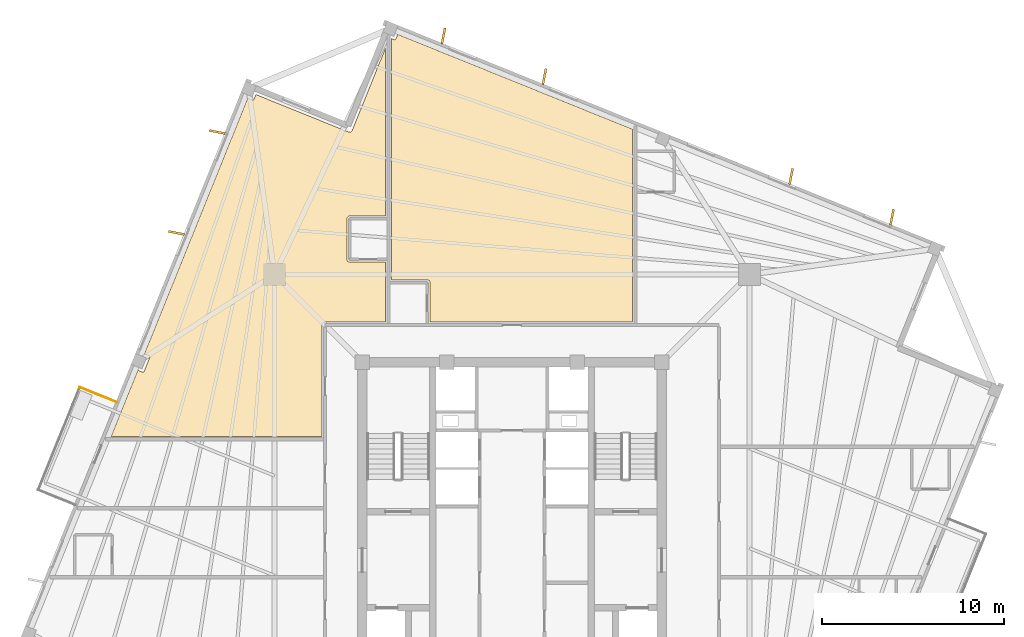
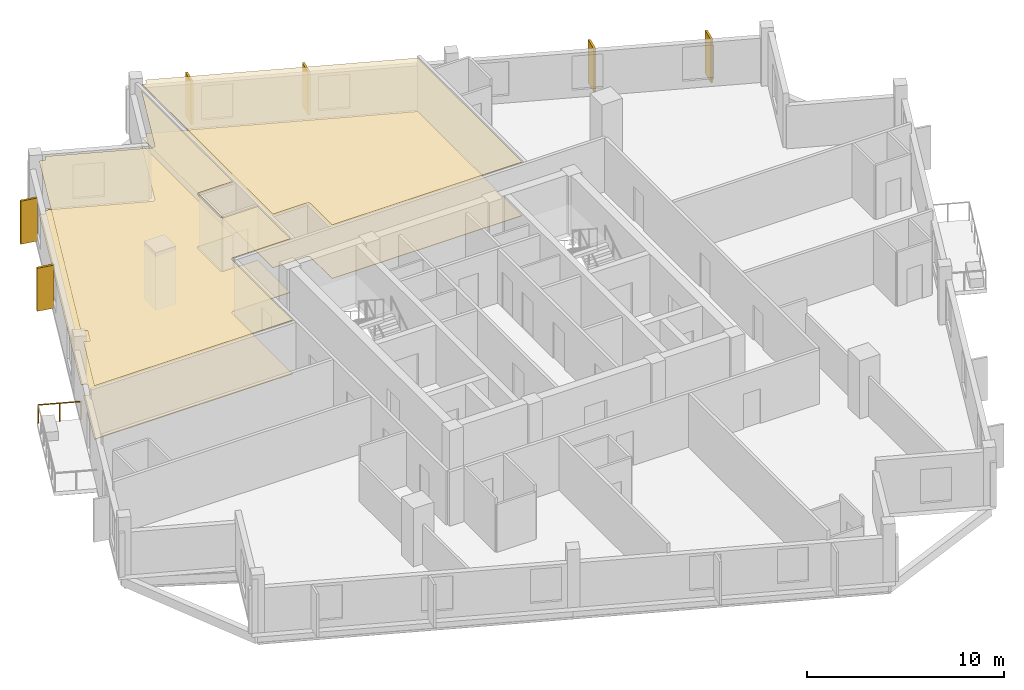
# One storey, part 8 of 8: 10 coverings, 1 railing.
"""IFC4 building model written with IfcOpenShell, lengths in metres."""

from ifc_helpers import new_model, si_unit, direction, frame, origin, origin_2d, place, context, subcontext, project, spatial, polyline, rectangle, circle, outline, extrude, source, transform, mapped, material, layer, layer_set, type_object, element, save


model = new_model("IFC4")

# Units and contexts
model_context = context("Model", 3, precision=1e-05, world=origin(), true_north=direction((0.0, 1.0)))
body_context = subcontext(model_context, "Body", "Model", "MODEL_VIEW")
ifc_project = project(units=[si_unit("LENGTHUNIT", "METRE"), si_unit("AREAUNIT", "SQUARE_METRE"), si_unit("VOLUMEUNIT", "CUBIC_METRE"), si_unit("PLANEANGLEUNIT", "RADIAN"), si_unit("MASSUNIT", "GRAM", prefix="KILO"), si_unit("THERMODYNAMICTEMPERATUREUNIT", "KELVIN")], contexts=[model_context])

# Site, building, storey
site_placement = place(None, origin())
site = spatial("IfcSite", under=ifc_project, at=site_placement, CompositionType="ELEMENT")
building_placement = place(site_placement, origin())
building = spatial("IfcBuilding", under=site, at=building_placement, Name="Kosmvard Interchange Tower", CompositionType="ELEMENT")
storey_placement = place(building_placement, frame((0.0, 0.0, 268.800048828125)))
storey = spatial("IfcBuildingStorey", under=building, at=storey_placement, Name="L65", CompositionType="ELEMENT", Elevation=268.800048828125)

# Coverings
ifc_material_1 = material(Name="Acoustic gypsum ceiling tile")
ifc_layer_1 = layer(ifc_material_1, 0.02490234375, Name="Acoustic gypsum ceiling tile")
ifc_layer_set_1 = layer_set([ifc_layer_1], Name="Acoustic gypsum ceiling tile")
covering_type_1 = type_object("IfcCoveringType", Name="Acoustic Perforated Suspended Ceiling 25", PredefinedType="CEILING", material=ifc_layer_set_1)
covering_1_placement = place(storey_placement, frame((0.0, 0.0, 3.324951171875)))
element("IfcCovering", 1, at=covering_1_placement, inside=storey, type_object=covering_type_1, Name="L65 Acoustic Ceiling L65-HCS1", PredefinedType="CEILING", context=body_context, shape_type="SweptSolid", body=[
    extrude(outline(polyline([(-9.056884765625, 13.819091796875), (-9.060791015625, 13.824462890625), (-9.065185546875, 13.8310546875), (-9.068603515625, 13.836669921875), (-9.072265625, 13.84375), (-9.0751953125, 13.849609375), (-9.078125, 13.85693359375), (-9.080322265625, 13.86328125), (-9.082763671875, 13.870849609375), (-9.084228515625, 13.877197265625), (-9.0859375, 13.885009765625), (-9.0869140625, 13.8916015625), (-9.087646484375, 13.8994140625), (-9.087890625, 13.906005859375), (-9.087890625, 13.909912109375), (-9.087890625, 16.159912109375), (-9.087890625, 16.163818359375), (-9.087646484375, 16.170654296875), (-9.0869140625, 16.178466796875), (-9.0859375, 16.18505859375), (-9.084228515625, 16.192626953125), (-9.082763671875, 16.19921875), (-9.080322265625, 16.20654296875), (-9.078125, 16.212890625), (-9.0751953125, 16.219970703125), (-9.072265625, 16.22607421875), (-9.068603515625, 16.233154296875), (-9.065185546875, 16.23876953125), (-9.060791015625, 16.245361328125), (-9.056884765625, 16.250732421875), (-9.0517578125, 16.2568359375), (-9.04736328125, 16.26171875), (-9.041748046875, 16.267333984375), (-9.036865234375, 16.271728515625), (-9.03076171875, 16.27685546875), (-9.025390625, 16.28076171875), (-9.018798828125, 16.28515625), (-9.01318359375, 16.28857421875), (-9.00634765625, 16.292236328125), (-9.000244140625, 16.294921875), (-8.992919921875, 16.298095703125), (-8.986572265625, 16.30029296875), (-8.979248046875, 16.302490234375), (-8.972900390625, 16.30419921875), (-8.96484375, 16.3056640625), (-8.958251953125, 16.306640625), (-8.95068359375, 16.3076171875), (-8.94384765625, 16.307861328125), (-8.93994140625, 16.307861328125), (-6.9599609375, 16.307861328125), (-6.9599609375, 25.578369140625), (-8.802490234375, 21.017822265625), (-8.80419921875, 21.014404296875), (-8.80712890625, 21.007568359375), (-8.810791015625, 21.000732421875), (-8.814453125, 20.994384765625), (-8.81884765625, 20.98779296875), (-8.8232421875, 20.981689453125), (-8.828125, 20.975830078125), (-8.8330078125, 20.97021484375), (-8.83837890625, 20.964599609375), (-8.843994140625, 20.959716796875), (-8.849853515625, 20.95458984375), (-8.855712890625, 20.9501953125), (-8.8623046875, 20.94580078125), (-8.86865234375, 20.94189453125), (-8.87548828125, 20.938232421875), (-8.882080078125, 20.934814453125), (-8.889404296875, 20.931884765625), (-8.896240234375, 20.92919921875), (-8.90380859375, 20.927001953125), (-8.910888671875, 20.925048828125), (-8.91845703125, 20.923583984375), (-8.92578125, 20.92236328125), (-8.93359375, 20.921630859375), (-8.94091796875, 20.921142578125), (-8.94873046875, 20.921142578125), (-8.956298828125, 20.92138671875), (-8.9638671875, 20.922119140625), (-8.97119140625, 20.923095703125), (-8.97900390625, 20.924560546875), (-8.986083984375, 20.92626953125), (-8.99365234375, 20.928466796875), (-9.000732421875, 20.930908203125), (-9.00439453125, 20.932373046875), (-14.103759765625, 22.99267578125), (-14.203125, 22.746826171875), (-14.206298828125, 22.73974609375), (-14.21044921875, 22.73291015625), (-14.21484375, 22.7265625), (-14.22021484375, 22.720703125), (-14.22607421875, 22.715576171875), (-14.232177734375, 22.710693359375), (-14.239013671875, 22.70654296875), (-14.24609375, 22.703125), (-14.25341796875, 22.700439453125), (-14.260986328125, 22.698486328125), (-14.268798828125, 22.697265625), (-14.276611328125, 22.69677734375), (-14.284423828125, 22.697265625), (-14.292236328125, 22.6982421875), (-14.2998046875, 22.7001953125), (-14.30712890625, 22.70263671875), (-14.552978515625, 22.802001953125), (-20.248779296875, 8.7041015625), (-20.003173828125, 8.60498046875), (-19.99609375, 8.6015625), (-19.9892578125, 8.59765625), (-19.98291015625, 8.593017578125), (-19.97705078125, 8.587646484375), (-19.9716796875, 8.58203125), (-19.967041015625, 8.57568359375), (-19.962890625, 8.569091796875), (-19.95947265625, 8.56201171875), (-19.956787109375, 8.5546875), (-19.954833984375, 8.546875), (-19.95361328125, 8.539306640625), (-19.953125, 8.531494140625), (-19.953369140625, 8.5234375), (-19.95458984375, 8.515869140625), (-19.956298828125, 8.508056640625), (-19.958984375, 8.500732421875), (-20.262451171875, 7.749755859375), (-20.265625, 7.74267578125), (-20.26953125, 7.73583984375), (-20.274169921875, 7.7294921875), (-20.279541015625, 7.7236328125), (-20.28515625, 7.71826171875), (-20.29150390625, 7.713623046875), (-20.298095703125, 7.70947265625), (-20.30517578125, 7.7060546875), (-20.3125, 7.703369140625), (-20.3203125, 7.701416015625), (-20.327880859375, 7.7001953125), (-20.335693359375, 7.69970703125), (-20.34375, 7.699951171875), (-20.351318359375, 7.701171875), (-20.359130859375, 7.702880859375), (-20.366455078125, 7.70556640625), (-20.612060546875, 7.8046875), (-22.084716796875, 4.159912109375), (-10.455078125, 4.159912109375), (-10.455078125, 10.300048828125), (-10.454833984375, 10.303955078125), (-10.45458984375, 10.311279296875), (-10.453857421875, 10.319091796875), (-10.45263671875, 10.326416015625), (-10.451171875, 10.333984375), (-10.449462890625, 10.34130859375), (-10.447021484375, 10.3486328125), (-10.444580078125, 10.355712890625), (-10.441650390625, 10.363037109375), (-10.4384765625, 10.36962890625), (-10.434814453125, 10.37646484375), (-10.430908203125, 10.3828125), (-10.426513671875, 10.389404296875), (-10.42236328125, 10.395263671875), (-10.417236328125, 10.4013671875), (-10.412353515625, 10.40673828125), (-10.40673828125, 10.412353515625), (-10.4013671875, 10.417236328125), (-10.395263671875, 10.42236328125), (-10.389404296875, 10.426513671875), (-10.3828125, 10.430908203125), (-10.37646484375, 10.434814453125), (-10.36962890625, 10.4384765625), (-10.363037109375, 10.441650390625), (-10.355712890625, 10.444580078125), (-10.3486328125, 10.447021484375), (-10.34130859375, 10.449462890625), (-10.333984375, 10.451171875), (-10.326416015625, 10.45263671875), (-10.319091796875, 10.453857421875), (-10.311279296875, 10.45458984375), (-10.303955078125, 10.454833984375), (-10.300048828125, 10.455078125), (-6.9599609375, 10.455078125), (-6.9599609375, 13.761962890625), (-8.93994140625, 13.761962890625), (-8.94384765625, 13.761962890625), (-8.95068359375, 13.762451171875), (-8.95849609375, 13.76318359375), (-8.965087890625, 13.76416015625), (-8.97265625, 13.765625), (-8.979248046875, 13.767333984375), (-8.98681640625, 13.76953125), (-8.992919921875, 13.771728515625), (-9.000244140625, 13.774658203125), (-9.00634765625, 13.777587890625), (-9.01318359375, 13.78125), (-9.018798828125, 13.78466796875), (-9.025390625, 13.7890625), (-9.03076171875, 13.793212890625), (-9.036865234375, 13.798095703125), (-9.041748046875, 13.802490234375), (-9.04736328125, 13.80810546875), (-9.0517578125, 13.81298828125), (-9.056884765625, 13.819091796875)])), origin(), (0.0, 0.0, 1.0), 0.02490234375),
])
covering_2_placement = place(storey_placement, frame((0.0, 0.0, 3.324951171875)))
element("IfcCovering", 2, at=covering_2_placement, inside=storey, type_object=covering_type_1, Name="L65 Acoustic Ceiling L65-HGR1", PredefinedType="CEILING", context=body_context, shape_type="SweptSolid", body=[
    extrude(outline(polyline([(-6.639892578125, 12.782958984375), (-4.659912109375, 12.782958984375), (-4.656005859375, 12.782958984375), (-4.6494140625, 12.782470703125), (-4.6416015625, 12.78173828125), (-4.635009765625, 12.78076171875), (-4.627197265625, 12.779296875), (-4.620849609375, 12.777587890625), (-4.61328125, 12.775390625), (-4.60693359375, 12.773193359375), (-4.599853515625, 12.770263671875), (-4.59375, 12.767333984375), (-4.5869140625, 12.763671875), (-4.5810546875, 12.76025390625), (-4.574462890625, 12.755859375), (-4.569091796875, 12.751708984375), (-4.563232421875, 12.746826171875), (-4.55810546875, 12.742431640625), (-4.552734375, 12.73681640625), (-4.548095703125, 12.73193359375), (-4.543212890625, 12.725830078125), (-4.539306640625, 12.720458984375), (-4.534912109375, 12.7138671875), (-4.531494140625, 12.708251953125), (-4.527587890625, 12.701171875), (-4.52490234375, 12.6953125), (-4.52197265625, 12.68798828125), (-4.51953125, 12.681640625), (-4.517333984375, 12.674072265625), (-4.515625, 12.667724609375), (-4.51416015625, 12.659912109375), (-4.51318359375, 12.6533203125), (-4.512451171875, 12.6455078125), (-4.51220703125, 12.638916015625), (-4.511962890625, 12.635009765625), (-4.511962890625, 10.455078125), (6.639892578125, 10.455078125), (6.639892578125, 21.082763671875), (-6.29296875, 26.30810546875), (-6.392333984375, 26.062255859375), (-6.3955078125, 26.05517578125), (-6.399658203125, 26.048583984375), (-6.404296875, 26.042236328125), (-6.409423828125, 26.036376953125), (-6.415283203125, 26.031005859375), (-6.42138671875, 26.026123046875), (-6.42822265625, 26.022216796875), (-6.435302734375, 26.018798828125), (-6.442626953125, 26.015869140625), (-6.4501953125, 26.013916015625), (-6.4580078125, 26.0126953125), (-6.4658203125, 26.012451171875), (-6.4736328125, 26.0126953125), (-6.4814453125, 26.013671875), (-6.489013671875, 26.015625), (-6.49658203125, 26.01806640625), (-6.639892578125, 26.076171875), (-6.639892578125, 12.782958984375)])), origin(), (0.0, 0.0, 1.0), 0.02490234375),
])
ifc_material_2 = material(Name="Polished terrazzo flooring")
ifc_layer_2 = layer(ifc_material_2, 0.030029296875, Name="Polished terrazzo flooring")
ifc_layer_set_2 = layer_set([ifc_layer_2], Name="Polished terrazzo flooring")
covering_type_2 = type_object("IfcCoveringType", Name="Heavy-Duty Terrazzo & Porcelain Flooring 30", PredefinedType="FLOORING", material=ifc_layer_set_2)
covering_3_placement = place(storey_placement, origin())
element("IfcCovering", 3, at=covering_3_placement, inside=storey, type_object=covering_type_2, Name="L65 Floor Finish L65-HCS1", PredefinedType="FLOORING", context=body_context, shape_type="SweptSolid", body=[
    extrude(outline(polyline([(-9.056884765625, 13.819091796875), (-9.060791015625, 13.824462890625), (-9.065185546875, 13.8310546875), (-9.068603515625, 13.836669921875), (-9.072265625, 13.84375), (-9.0751953125, 13.849609375), (-9.078125, 13.85693359375), (-9.080322265625, 13.86328125), (-9.082763671875, 13.870849609375), (-9.084228515625, 13.877197265625), (-9.0859375, 13.885009765625), (-9.0869140625, 13.8916015625), (-9.087646484375, 13.8994140625), (-9.087890625, 13.906005859375), (-9.087890625, 13.909912109375), (-9.087890625, 16.159912109375), (-9.087890625, 16.163818359375), (-9.087646484375, 16.170654296875), (-9.0869140625, 16.178466796875), (-9.0859375, 16.18505859375), (-9.084228515625, 16.192626953125), (-9.082763671875, 16.19921875), (-9.080322265625, 16.20654296875), (-9.078125, 16.212890625), (-9.0751953125, 16.219970703125), (-9.072265625, 16.22607421875), (-9.068603515625, 16.233154296875), (-9.065185546875, 16.23876953125), (-9.060791015625, 16.245361328125), (-9.056884765625, 16.250732421875), (-9.0517578125, 16.2568359375), (-9.04736328125, 16.26171875), (-9.041748046875, 16.267333984375), (-9.036865234375, 16.271728515625), (-9.03076171875, 16.27685546875), (-9.025390625, 16.28076171875), (-9.018798828125, 16.28515625), (-9.01318359375, 16.28857421875), (-9.00634765625, 16.292236328125), (-9.000244140625, 16.294921875), (-8.992919921875, 16.298095703125), (-8.986572265625, 16.30029296875), (-8.979248046875, 16.302490234375), (-8.972900390625, 16.30419921875), (-8.96484375, 16.3056640625), (-8.958251953125, 16.306640625), (-8.95068359375, 16.3076171875), (-8.94384765625, 16.307861328125), (-8.93994140625, 16.307861328125), (-6.9599609375, 16.307861328125), (-6.9599609375, 25.578369140625), (-8.802490234375, 21.017822265625), (-8.80419921875, 21.014404296875), (-8.80712890625, 21.007568359375), (-8.810791015625, 21.000732421875), (-8.814453125, 20.994384765625), (-8.81884765625, 20.98779296875), (-8.8232421875, 20.981689453125), (-8.828125, 20.975830078125), (-8.8330078125, 20.97021484375), (-8.83837890625, 20.964599609375), (-8.843994140625, 20.959716796875), (-8.849853515625, 20.95458984375), (-8.855712890625, 20.9501953125), (-8.8623046875, 20.94580078125), (-8.86865234375, 20.94189453125), (-8.87548828125, 20.938232421875), (-8.882080078125, 20.934814453125), (-8.889404296875, 20.931884765625), (-8.896240234375, 20.92919921875), (-8.90380859375, 20.927001953125), (-8.910888671875, 20.925048828125), (-8.91845703125, 20.923583984375), (-8.92578125, 20.92236328125), (-8.93359375, 20.921630859375), (-8.94091796875, 20.921142578125), (-8.94873046875, 20.921142578125), (-8.956298828125, 20.92138671875), (-8.9638671875, 20.922119140625), (-8.97119140625, 20.923095703125), (-8.97900390625, 20.924560546875), (-8.986083984375, 20.92626953125), (-8.99365234375, 20.928466796875), (-9.000732421875, 20.930908203125), (-9.00439453125, 20.932373046875), (-14.103759765625, 22.99267578125), (-14.203125, 22.746826171875), (-14.206298828125, 22.73974609375), (-14.21044921875, 22.73291015625), (-14.21484375, 22.7265625), (-14.22021484375, 22.720703125), (-14.22607421875, 22.715576171875), (-14.232177734375, 22.710693359375), (-14.239013671875, 22.70654296875), (-14.24609375, 22.703125), (-14.25341796875, 22.700439453125), (-14.260986328125, 22.698486328125), (-14.268798828125, 22.697265625), (-14.276611328125, 22.69677734375), (-14.284423828125, 22.697265625), (-14.292236328125, 22.6982421875), (-14.2998046875, 22.7001953125), (-14.30712890625, 22.70263671875), (-14.552978515625, 22.802001953125), (-20.248779296875, 8.7041015625), (-20.003173828125, 8.60498046875), (-19.99609375, 8.6015625), (-19.9892578125, 8.59765625), (-19.98291015625, 8.593017578125), (-19.97705078125, 8.587646484375), (-19.9716796875, 8.58203125), (-19.967041015625, 8.57568359375), (-19.962890625, 8.569091796875), (-19.95947265625, 8.56201171875), (-19.956787109375, 8.5546875), (-19.954833984375, 8.546875), (-19.95361328125, 8.539306640625), (-19.953125, 8.531494140625), (-19.953369140625, 8.5234375), (-19.95458984375, 8.515869140625), (-19.956298828125, 8.508056640625), (-19.958984375, 8.500732421875), (-20.262451171875, 7.749755859375), (-20.265625, 7.74267578125), (-20.26953125, 7.73583984375), (-20.274169921875, 7.7294921875), (-20.279541015625, 7.7236328125), (-20.28515625, 7.71826171875), (-20.29150390625, 7.713623046875), (-20.298095703125, 7.70947265625), (-20.30517578125, 7.7060546875), (-20.3125, 7.703369140625), (-20.3203125, 7.701416015625), (-20.327880859375, 7.7001953125), (-20.335693359375, 7.69970703125), (-20.34375, 7.699951171875), (-20.351318359375, 7.701171875), (-20.359130859375, 7.702880859375), (-20.366455078125, 7.70556640625), (-20.612060546875, 7.8046875), (-22.084716796875, 4.159912109375), (-10.455078125, 4.159912109375), (-10.455078125, 10.300048828125), (-10.454833984375, 10.303955078125), (-10.45458984375, 10.311279296875), (-10.453857421875, 10.319091796875), (-10.45263671875, 10.326416015625), (-10.451171875, 10.333984375), (-10.449462890625, 10.34130859375), (-10.447021484375, 10.3486328125), (-10.444580078125, 10.355712890625), (-10.441650390625, 10.363037109375), (-10.4384765625, 10.36962890625), (-10.434814453125, 10.37646484375), (-10.430908203125, 10.3828125), (-10.426513671875, 10.389404296875), (-10.42236328125, 10.395263671875), (-10.417236328125, 10.4013671875), (-10.412353515625, 10.40673828125), (-10.40673828125, 10.412353515625), (-10.4013671875, 10.417236328125), (-10.395263671875, 10.42236328125), (-10.389404296875, 10.426513671875), (-10.3828125, 10.430908203125), (-10.37646484375, 10.434814453125), (-10.36962890625, 10.4384765625), (-10.363037109375, 10.441650390625), (-10.355712890625, 10.444580078125), (-10.3486328125, 10.447021484375), (-10.34130859375, 10.449462890625), (-10.333984375, 10.451171875), (-10.326416015625, 10.45263671875), (-10.319091796875, 10.453857421875), (-10.311279296875, 10.45458984375), (-10.303955078125, 10.454833984375), (-10.300048828125, 10.455078125), (-6.9599609375, 10.455078125), (-6.9599609375, 13.761962890625), (-8.93994140625, 13.761962890625), (-8.94384765625, 13.761962890625), (-8.95068359375, 13.762451171875), (-8.95849609375, 13.76318359375), (-8.965087890625, 13.76416015625), (-8.97265625, 13.765625), (-8.979248046875, 13.767333984375), (-8.98681640625, 13.76953125), (-8.992919921875, 13.771728515625), (-9.000244140625, 13.774658203125), (-9.00634765625, 13.777587890625), (-9.01318359375, 13.78125), (-9.018798828125, 13.78466796875), (-9.025390625, 13.7890625), (-9.03076171875, 13.793212890625), (-9.036865234375, 13.798095703125), (-9.041748046875, 13.802490234375), (-9.04736328125, 13.80810546875), (-9.0517578125, 13.81298828125), (-9.056884765625, 13.819091796875)])), origin(), (0.0, 0.0, 1.0), 0.030029296875),
])
covering_4_placement = place(storey_placement, origin())
element("IfcCovering", 4, at=covering_4_placement, inside=storey, type_object=covering_type_2, Name="L65 Floor Finish L65-HGR1", PredefinedType="FLOORING", context=body_context, shape_type="SweptSolid", body=[
    extrude(outline(polyline([(-6.639892578125, 12.782958984375), (-4.659912109375, 12.782958984375), (-4.656005859375, 12.782958984375), (-4.6494140625, 12.782470703125), (-4.6416015625, 12.78173828125), (-4.635009765625, 12.78076171875), (-4.627197265625, 12.779296875), (-4.620849609375, 12.777587890625), (-4.61328125, 12.775390625), (-4.60693359375, 12.773193359375), (-4.599853515625, 12.770263671875), (-4.59375, 12.767333984375), (-4.5869140625, 12.763671875), (-4.5810546875, 12.76025390625), (-4.574462890625, 12.755859375), (-4.569091796875, 12.751708984375), (-4.563232421875, 12.746826171875), (-4.55810546875, 12.742431640625), (-4.552734375, 12.73681640625), (-4.548095703125, 12.73193359375), (-4.543212890625, 12.725830078125), (-4.539306640625, 12.720458984375), (-4.534912109375, 12.7138671875), (-4.531494140625, 12.708251953125), (-4.527587890625, 12.701171875), (-4.52490234375, 12.6953125), (-4.52197265625, 12.68798828125), (-4.51953125, 12.681640625), (-4.517333984375, 12.674072265625), (-4.515625, 12.667724609375), (-4.51416015625, 12.659912109375), (-4.51318359375, 12.6533203125), (-4.512451171875, 12.6455078125), (-4.51220703125, 12.638916015625), (-4.511962890625, 12.635009765625), (-4.511962890625, 10.455078125), (6.639892578125, 10.455078125), (6.639892578125, 21.082763671875), (-6.29296875, 26.30810546875), (-6.392333984375, 26.062255859375), (-6.3955078125, 26.05517578125), (-6.399658203125, 26.048583984375), (-6.404296875, 26.042236328125), (-6.409423828125, 26.036376953125), (-6.415283203125, 26.031005859375), (-6.42138671875, 26.026123046875), (-6.42822265625, 26.022216796875), (-6.435302734375, 26.018798828125), (-6.442626953125, 26.015869140625), (-6.4501953125, 26.013916015625), (-6.4580078125, 26.0126953125), (-6.4658203125, 26.012451171875), (-6.4736328125, 26.0126953125), (-6.4814453125, 26.013671875), (-6.489013671875, 26.015625), (-6.49658203125, 26.01806640625), (-6.639892578125, 26.076171875), (-6.639892578125, 12.782958984375)])), origin(), (0.0, 0.0, 1.0), 0.030029296875),
])

# Railing
ifc_material_3 = material(Name="Steel S355", Category="steel")
railing_type = type_object("IfcRailingType", Name="Observation & Balcony Glass-Infill Balustrade 1150", PredefinedType="BALUSTRADE", material=ifc_material_3)
shared_shape_1 = source(origin(), body_context, "Body", "SweptSolid", [
    extrude(circle(Radius=0.02392578125, at=origin_2d()), frame((0.0, 0.0, 1.1259765625), z_axis=(-0.927208487558, 0.374545618852, 0.0), x_axis=(-0.374545618852, -0.927208487558, 0.0)), (0.0, 0.0, 1.0), 2.199951171875),
    extrude(circle(Radius=0.02099609375, at=origin_2d()), origin(), (0.0, 0.0, 1.0), 1.101806640625),
    extrude(circle(Radius=0.02099609375, at=origin_2d()), frame((-1.02001953125, 0.412109375, 0.0)), (0.0, 0.0, 1.0), 1.101806640625),
    extrude(circle(Radius=0.02099609375, at=origin_2d()), frame((-2.039794921875, 0.823974609375, 0.0)), (0.0, 0.0, 1.0), 1.101806640625),
])
railing_placement = place(storey_placement, frame((-21.7705078125, 6.045654296875, 0.0)))
element("IfcRailing", 5, at=railing_placement, inside=storey, type_object=railing_type, Name="L65 Outdoor Terrace Guard BAL-L65-NE-A", PredefinedType="BALUSTRADE", context=body_context, shape_type="MappedRepresentation", body=[
    mapped(shared_shape_1, transform((0.0, 0.0, 0.0), scale=1.0)),
])

# Coverings
ifc_material_4 = material(Name="Architectural anodised aluminium", Category="aluminium")
ifc_layer_3 = layer(ifc_material_4, 0.1201171875, Name="Architectural anodised aluminium")
ifc_layer_set_3 = layer_set([ifc_layer_3], Name="Architectural anodised aluminium")
covering_type_3 = type_object("IfcCoveringType", Name="Rotating Vertical Sun-Breaker Fin 900x120 Aluminium", PredefinedType="CLADDING", material=ifc_layer_set_3)
shared_shape_2 = source(origin(), body_context, "Body", "SweptSolid", [
    extrude(rectangle(XDim=0.89990234375, YDim=0.1201171875, at=origin_2d()), origin(), (0.0, 0.0, 1.0), 2.669921875),
])
for number, where, z_axis, x_axis, name in (
    (6, (20.932373046875, 16.2412109375, 0.0400390625), (0.0, 0.0, 1.0), (0.190123643878, 0.981760154029, 0.0), "L65 Rotating Vertical Sun-Breaker Fin 04"),
    (7, (15.373046875, 18.4873046875, 0.0400390625), (0.0, 0.0, 1.0), (0.190123643878, 0.981760154029, 0.0), "L65 Rotating Vertical Sun-Breaker Fin 05"),
    (8, (1.783935546875, 23.977783203125, 0.0400390625), (0.0, 0.0, 1.0), (0.190123643878, 0.981760154029, 0.0), "L65 Rotating Vertical Sun-Breaker Fin 06"),
    (9, (-3.775390625, 26.223876953125, 0.0400390625), (0.0, 0.0, 1.0), (0.190123643878, 0.981760154029, 0.0), "L65 Rotating Vertical Sun-Breaker Fin 07"),
    (10, (-16.2412109375, 20.932373046875, 0.0400390625), (0.0, 0.0, 1.0), (-0.981760154029, 0.190123643878, 0.0), "L65 Rotating Vertical Sun-Breaker Fin 08"),
    (11, (-18.4873046875, 15.373046875, 0.0400390625), (0.0, 0.0, 1.0), (-0.981760154029, 0.190123643878, 0.0), "L65 Rotating Vertical Sun-Breaker Fin 09"),
):
    element("IfcCovering", number, at=place(storey_placement, frame(where, z_axis=z_axis, x_axis=x_axis)), inside=storey, type_object=covering_type_3, Name=name, PredefinedType="CLADDING", context=body_context, shape_type="MappedRepresentation", body=[
        mapped(shared_shape_2, transform((0.0, 0.0, 0.0), scale=1.0)),
    ])

save(model, "model.ifc")
